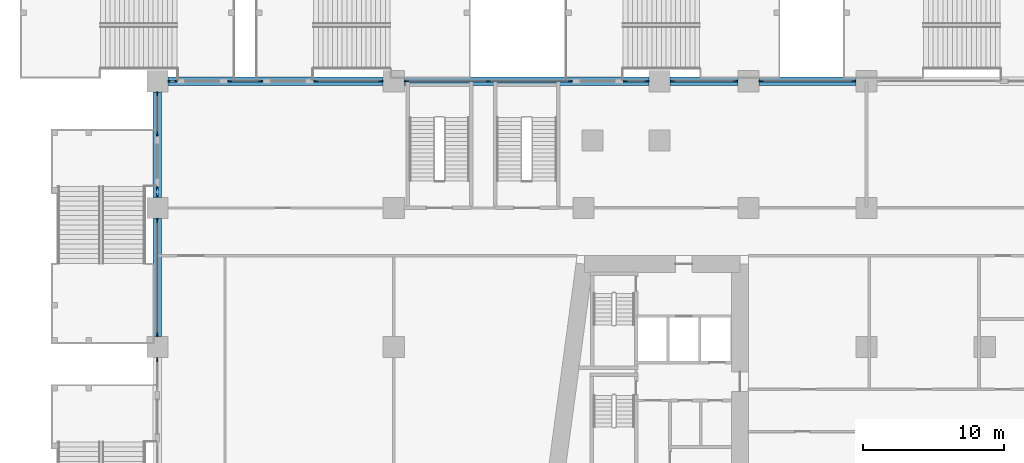
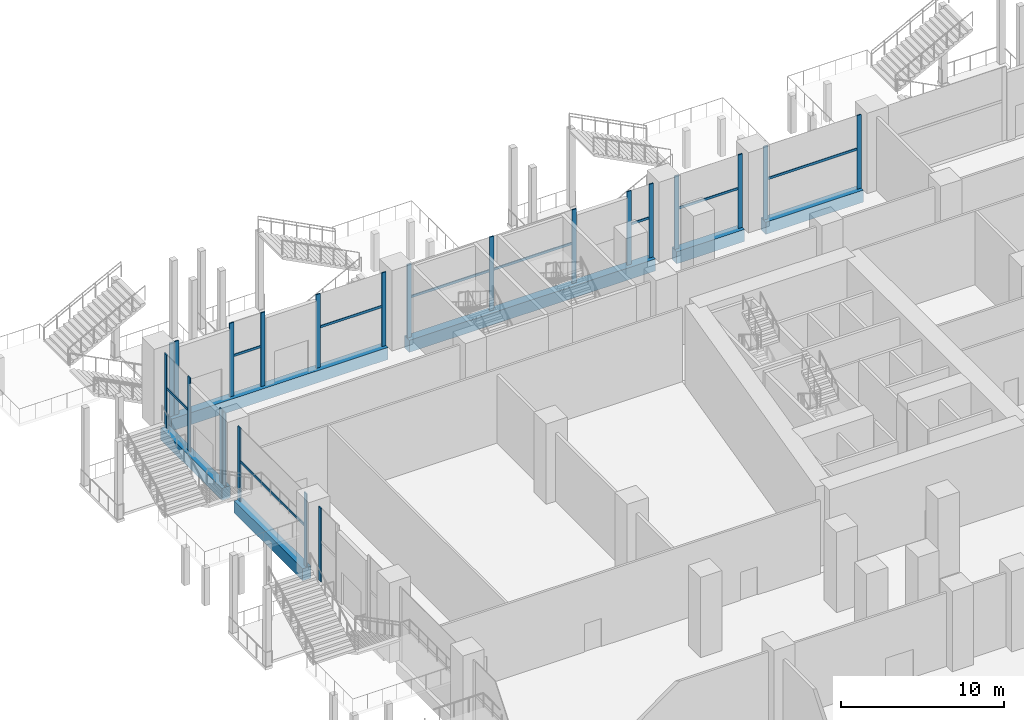
# One storey, part 9 of 47: 31 members, 6 beams, 11 elements without a shape of their own.
"""IFC4 building model written with IfcOpenShell, lengths in metres."""

from ifc_helpers import new_model, si_unit, direction, frame, origin, origin_2d, place, context, subcontext, project, spatial, rectangle, extrude, material, material_profile, profile_set, type_object, element, aggregate, save


model = new_model("IFC4")

# Units and contexts
model_context = context("Model", 3, precision=1e-05, world=origin(), true_north=direction((0.0, 1.0)))
body_context = subcontext(model_context, "Body", "Model", "MODEL_VIEW")
ifc_project = project(units=[si_unit("LENGTHUNIT", "METRE"), si_unit("AREAUNIT", "SQUARE_METRE"), si_unit("VOLUMEUNIT", "CUBIC_METRE"), si_unit("PLANEANGLEUNIT", "RADIAN"), si_unit("MASSUNIT", "GRAM", prefix="KILO")], contexts=[model_context])

# Site, building, storey
site_placement = place(None, origin())
site = spatial("IfcSite", under=ifc_project, at=site_placement, CompositionType="ELEMENT")
building_placement = place(site_placement, origin())
building = spatial("IfcBuilding", under=site, at=building_placement, Name="Candeia Pilgrim Tower and Theatre", CompositionType="ELEMENT")
storey_placement = place(building_placement, frame((0.0, 0.0, 23.0)))
storey = spatial("IfcBuildingStorey", under=building, at=storey_placement, Name="L03", CompositionType="ELEMENT", Elevation=23.0)

# Curtain wall, member
ifc_material_1 = material(Name="Aluminium framed podium glazing", Category="aluminium")
curtain_wall_type = type_object("IfcCurtainWallType", Name="CW-P curtain wall", PredefinedType="NOTDEFINED", material=ifc_material_1)
curtain_wall_1_placement = place(storey_placement, origin())
curtain_wall_1 = element("IfcCurtainWall", 1, at=curtain_wall_1_placement, inside=storey, type_object=curtain_wall_type, Name="Curtain wall CW-P L03.031", PredefinedType="NOTDEFINED")
ifc_material_2 = material(Name="Anodised aluminium", Category="aluminium")
ifc_material_profile_1 = material_profile(ifc_material_2, rectangle(XDim=0.080078125, YDim=0.300048828125, at=origin_2d()))
ifc_profile_set_1 = profile_set([ifc_material_profile_1], Name="Anodised aluminium")
member_type_1 = type_object("IfcMemberType", Name="CW-P mullion 80x300", PredefinedType="MULLION", material=ifc_profile_set_1)
member_1_placement = place(storey_placement, frame((58.800048828125, 125.0, 0.0), z_axis=(0.0, 0.0, 1.0), x_axis=(-1.0, 0.0, 0.0)))
member_1 = element("IfcMember", 2, at=member_1_placement, type_object=member_type_1, Name="CW-P mullion 2", PredefinedType="MULLION", context=body_context, shape_type="SweptSolid", body=[
    extrude(rectangle(XDim=0.080078125, YDim=0.300048828125, at=origin_2d()), origin(), (0.0, 0.0, 1.0), 5.5),
])
aggregate(curtain_wall_1, [member_1])

# Curtain wall, members
curtain_wall_2_placement = place(storey_placement, origin())
curtain_wall_2 = element("IfcCurtainWall", 3, at=curtain_wall_2_placement, inside=storey, type_object=curtain_wall_type, Name="Curtain wall CW-P L03.040", PredefinedType="NOTDEFINED")
member_2_placement = place(storey_placement, frame((58.800048828125, 126.800048828125, 0.0), z_axis=(0.0, 0.0, 1.0), x_axis=(-1.0, 0.0, 0.0)))
member_2 = element("IfcMember", 4, at=member_2_placement, type_object=member_type_1, Name="CW-P mullion 1", PredefinedType="MULLION", context=body_context, shape_type="SweptSolid", body=[
    extrude(rectangle(XDim=0.080078125, YDim=0.300048828125, at=origin_2d()), origin(), (0.0, 0.0, 1.0), 5.5),
])
member_3_placement = place(storey_placement, frame((58.800048828125, 134.89990234375, 0.0), z_axis=(0.0, 0.0, 1.0), x_axis=(-1.0, 0.0, 0.0)))
member_3 = element("IfcMember", 5, at=member_3_placement, type_object=member_type_1, Name="CW-P mullion 2", PredefinedType="MULLION", context=body_context, shape_type="SweptSolid", body=[
    extrude(rectangle(XDim=0.080078125, YDim=0.300048828125, at=origin_2d()), origin(), (0.0, 0.0, 1.0), 5.5),
])

curtain_wall_3_placement = place(storey_placement, origin())
curtain_wall_3 = element("IfcCurtainWall", 6, at=curtain_wall_3_placement, inside=storey, type_object=curtain_wall_type, Name="Curtain wall CW-P L03.050", PredefinedType="NOTDEFINED")
member_4_placement = place(storey_placement, frame((58.800048828125, 136.699951171875, 0.0), z_axis=(0.0, 0.0, 1.0), x_axis=(-1.0, 0.0, 0.0)))
member_4 = element("IfcMember", 7, at=member_4_placement, type_object=member_type_1, Name="CW-P mullion 1", PredefinedType="MULLION", context=body_context, shape_type="SweptSolid", body=[
    extrude(rectangle(XDim=0.080078125, YDim=0.300048828125, at=origin_2d()), origin(), (0.0, 0.0, 1.0), 5.5),
])
member_5_placement = place(storey_placement, frame((58.800048828125, 137.14990234375, 0.0), z_axis=(0.0, 0.0, 1.0), x_axis=(-1.0, 0.0, 0.0)))
member_5 = element("IfcMember", 8, at=member_5_placement, type_object=member_type_1, Name="CW-P mullion 2", PredefinedType="MULLION", context=body_context, shape_type="SweptSolid", body=[
    extrude(rectangle(XDim=0.080078125, YDim=0.300048828125, at=origin_2d()), origin(), (0.0, 0.0, 1.0), 5.5),
])
aggregate(curtain_wall_3, [member_4, member_5])

curtain_wall_4_placement = place(storey_placement, origin())
curtain_wall_4 = element("IfcCurtainWall", 9, at=curtain_wall_4_placement, inside=storey, type_object=curtain_wall_type, Name="Curtain wall CW-P L03.051", PredefinedType="NOTDEFINED")
member_6_placement = place(storey_placement, frame((58.800048828125, 141.050048828125, 0.0), z_axis=(0.0, 0.0, 1.0), x_axis=(-1.0, 0.0, 0.0)))
member_6 = element("IfcMember", 10, at=member_6_placement, type_object=member_type_1, Name="CW-P mullion 1", PredefinedType="MULLION", context=body_context, shape_type="SweptSolid", body=[
    extrude(rectangle(XDim=0.080078125, YDim=0.300048828125, at=origin_2d()), origin(), (0.0, 0.0, 1.0), 5.5),
])
member_7_placement = place(storey_placement, frame((58.800048828125, 143.89990234375, 0.0), z_axis=(0.0, 0.0, 1.0), x_axis=(-1.0, 0.0, 0.0)))
member_7 = element("IfcMember", 11, at=member_7_placement, type_object=member_type_1, Name="CW-P mullion 2", PredefinedType="MULLION", context=body_context, shape_type="SweptSolid", body=[
    extrude(rectangle(XDim=0.080078125, YDim=0.300048828125, at=origin_2d()), origin(), (0.0, 0.0, 1.0), 5.5),
])

curtain_wall_5_placement = place(storey_placement, origin())
curtain_wall_5 = element("IfcCurtainWall", 12, at=curtain_wall_5_placement, inside=storey, type_object=curtain_wall_type, Name="Curtain wall CW-P L03.100", PredefinedType="NOTDEFINED")
member_8_placement = place(storey_placement, frame((59.699951171875, 144.800048828125, 0.0), z_axis=(0.0, 0.0, 1.0), x_axis=(0.0, 1.0, 0.0)))
member_8 = element("IfcMember", 13, at=member_8_placement, type_object=member_type_1, Name="CW-P mullion 1", PredefinedType="MULLION", context=body_context, shape_type="SweptSolid", body=[
    extrude(rectangle(XDim=0.080078125, YDim=0.300048828125, at=origin_2d()), origin(), (0.0, 0.0, 1.0), 5.5),
])
member_9_placement = place(storey_placement, frame((60.050048828125, 144.800048828125, 0.0), z_axis=(0.0, 0.0, 1.0), x_axis=(0.0, 1.0, 0.0)))
member_9 = element("IfcMember", 14, at=member_9_placement, type_object=member_type_1, Name="CW-P mullion 2", PredefinedType="MULLION", context=body_context, shape_type="SweptSolid", body=[
    extrude(rectangle(XDim=0.080078125, YDim=0.300048828125, at=origin_2d()), origin(), (0.0, 0.0, 1.0), 5.5),
])
aggregate(curtain_wall_5, [member_8, member_9])

curtain_wall_6_placement = place(storey_placement, origin())
curtain_wall_6 = element("IfcCurtainWall", 15, at=curtain_wall_6_placement, inside=storey, type_object=curtain_wall_type, Name="Curtain wall CW-P L03.101", PredefinedType="NOTDEFINED")
member_10_placement = place(storey_placement, frame((63.949951171875, 144.800048828125, 0.0), z_axis=(0.0, 0.0, 1.0), x_axis=(0.0, 1.0, 0.0)))
member_10 = element("IfcMember", 16, at=member_10_placement, type_object=member_type_1, Name="CW-P mullion 1", PredefinedType="MULLION", context=body_context, shape_type="SweptSolid", body=[
    extrude(rectangle(XDim=0.080078125, YDim=0.300048828125, at=origin_2d()), origin(), (0.0, 0.0, 1.0), 5.5),
])
member_11_placement = place(storey_placement, frame((66.14990234375, 144.800048828125, 0.0), z_axis=(0.0, 0.0, 1.0), x_axis=(0.0, 1.0, 0.0)))
member_11 = element("IfcMember", 17, at=member_11_placement, type_object=member_type_1, Name="CW-P mullion 2", PredefinedType="MULLION", context=body_context, shape_type="SweptSolid", body=[
    extrude(rectangle(XDim=0.080078125, YDim=0.300048828125, at=origin_2d()), origin(), (0.0, 0.0, 1.0), 5.5),
])

curtain_wall_7_placement = place(storey_placement, origin())
curtain_wall_7 = element("IfcCurtainWall", 18, at=curtain_wall_7_placement, inside=storey, type_object=curtain_wall_type, Name="Curtain wall CW-P L03.102", PredefinedType="NOTDEFINED")
member_12_placement = place(storey_placement, frame((70.050048828125, 144.800048828125, 0.0), z_axis=(0.0, 0.0, 1.0), x_axis=(0.0, 1.0, 0.0)))
member_12 = element("IfcMember", 19, at=member_12_placement, type_object=member_type_1, Name="CW-P mullion 1", PredefinedType="MULLION", context=body_context, shape_type="SweptSolid", body=[
    extrude(rectangle(XDim=0.080078125, YDim=0.300048828125, at=origin_2d()), origin(), (0.0, 0.0, 1.0), 5.5),
])
member_13_placement = place(storey_placement, frame((74.699951171875, 144.800048828125, 0.0), z_axis=(0.0, 0.0, 1.0), x_axis=(0.0, 1.0, 0.0)))
member_13 = element("IfcMember", 20, at=member_13_placement, type_object=member_type_1, Name="CW-P mullion 2", PredefinedType="MULLION", context=body_context, shape_type="SweptSolid", body=[
    extrude(rectangle(XDim=0.080078125, YDim=0.300048828125, at=origin_2d()), origin(), (0.0, 0.0, 1.0), 5.5),
])

curtain_wall_8_placement = place(storey_placement, origin())
curtain_wall_8 = element("IfcCurtainWall", 21, at=curtain_wall_8_placement, inside=storey, type_object=curtain_wall_type, Name="Curtain wall CW-P L03.110", PredefinedType="NOTDEFINED")
member_14_placement = place(storey_placement, frame((76.5, 144.800048828125, 0.0), z_axis=(0.0, 0.0, 1.0), x_axis=(0.0, 1.0, 0.0)))
member_14 = element("IfcMember", 22, at=member_14_placement, type_object=member_type_1, Name="CW-P mullion 1", PredefinedType="MULLION", context=body_context, shape_type="SweptSolid", body=[
    extrude(rectangle(XDim=0.080078125, YDim=0.300048828125, at=origin_2d()), origin(), (0.0, 0.0, 1.0), 5.5),
])
member_15_placement = place(storey_placement, frame((82.324951171875, 144.800048828125, 0.0), z_axis=(0.0, 0.0, 1.0), x_axis=(0.0, 1.0, 0.0)))
member_15 = element("IfcMember", 23, at=member_15_placement, type_object=member_type_1, Name="CW-P mullion 2", PredefinedType="MULLION", context=body_context, shape_type="SweptSolid", body=[
    extrude(rectangle(XDim=0.080078125, YDim=0.300048828125, at=origin_2d()), origin(), (0.0, 0.0, 1.0), 5.5),
])
member_16_placement = place(storey_placement, frame((88.14990234375, 144.800048828125, 0.0), z_axis=(0.0, 0.0, 1.0), x_axis=(0.0, 1.0, 0.0)))
member_16 = element("IfcMember", 24, at=member_16_placement, type_object=member_type_1, Name="CW-P mullion 3", PredefinedType="MULLION", context=body_context, shape_type="SweptSolid", body=[
    extrude(rectangle(XDim=0.080078125, YDim=0.300048828125, at=origin_2d()), origin(), (0.0, 0.0, 1.0), 5.5),
])

curtain_wall_9_placement = place(storey_placement, origin())
curtain_wall_9 = element("IfcCurtainWall", 25, at=curtain_wall_9_placement, inside=storey, type_object=curtain_wall_type, Name="Curtain wall CW-P L03.111", PredefinedType="NOTDEFINED")
member_17_placement = place(storey_placement, frame((92.050048828125, 144.800048828125, 0.0), z_axis=(0.0, 0.0, 1.0), x_axis=(0.0, 1.0, 0.0)))
member_17 = element("IfcMember", 26, at=member_17_placement, type_object=member_type_1, Name="CW-P mullion 1", PredefinedType="MULLION", context=body_context, shape_type="SweptSolid", body=[
    extrude(rectangle(XDim=0.080078125, YDim=0.300048828125, at=origin_2d()), origin(), (0.0, 0.0, 1.0), 5.5),
])
member_18_placement = place(storey_placement, frame((93.60009765625, 144.800048828125, 0.0), z_axis=(0.0, 0.0, 1.0), x_axis=(0.0, 1.0, 0.0)))
member_18 = element("IfcMember", 27, at=member_18_placement, type_object=member_type_1, Name="CW-P mullion 2", PredefinedType="MULLION", context=body_context, shape_type="SweptSolid", body=[
    extrude(rectangle(XDim=0.080078125, YDim=0.300048828125, at=origin_2d()), origin(), (0.0, 0.0, 1.0), 5.5),
])

curtain_wall_10_placement = place(storey_placement, origin())
curtain_wall_10 = element("IfcCurtainWall", 28, at=curtain_wall_10_placement, inside=storey, type_object=curtain_wall_type, Name="Curtain wall CW-P L03.120", PredefinedType="NOTDEFINED")
member_19_placement = place(storey_placement, frame((95.39990234375, 144.800048828125, 0.0), z_axis=(0.0, 0.0, 1.0), x_axis=(0.0, 1.0, 0.0)))
member_19 = element("IfcMember", 29, at=member_19_placement, type_object=member_type_1, Name="CW-P mullion 1", PredefinedType="MULLION", context=body_context, shape_type="SweptSolid", body=[
    extrude(rectangle(XDim=0.080078125, YDim=0.300048828125, at=origin_2d()), origin(), (0.0, 0.0, 1.0), 5.5),
])
member_20_placement = place(storey_placement, frame((99.89990234375, 144.800048828125, 0.0), z_axis=(0.0, 0.0, 1.0), x_axis=(0.0, 1.0, 0.0)))
member_20 = element("IfcMember", 30, at=member_20_placement, type_object=member_type_1, Name="CW-P mullion 2", PredefinedType="MULLION", context=body_context, shape_type="SweptSolid", body=[
    extrude(rectangle(XDim=0.080078125, YDim=0.300048828125, at=origin_2d()), origin(), (0.0, 0.0, 1.0), 5.5),
])

curtain_wall_11_placement = place(storey_placement, origin())
curtain_wall_11 = element("IfcCurtainWall", 31, at=curtain_wall_11_placement, inside=storey, type_object=curtain_wall_type, Name="Curtain wall CW-P L03.130", PredefinedType="NOTDEFINED")
member_21_placement = place(storey_placement, frame((101.699951171875, 144.800048828125, 0.0), z_axis=(0.0, 0.0, 1.0), x_axis=(0.0, 1.0, 0.0)))
member_21 = element("IfcMember", 32, at=member_21_placement, type_object=member_type_1, Name="CW-P mullion 1", PredefinedType="MULLION", context=body_context, shape_type="SweptSolid", body=[
    extrude(rectangle(XDim=0.080078125, YDim=0.300048828125, at=origin_2d()), origin(), (0.0, 0.0, 1.0), 5.5),
])
member_22_placement = place(storey_placement, frame((108.300048828125, 144.800048828125, 0.0), z_axis=(0.0, 0.0, 1.0), x_axis=(0.0, 1.0, 0.0)))
member_22 = element("IfcMember", 33, at=member_22_placement, type_object=member_type_1, Name="CW-P mullion 2", PredefinedType="MULLION", context=body_context, shape_type="SweptSolid", body=[
    extrude(rectangle(XDim=0.080078125, YDim=0.300048828125, at=origin_2d()), origin(), (0.0, 0.0, 1.0), 5.5),
])

# Member
ifc_material_profile_2 = material_profile(ifc_material_2, rectangle(XDim=0.080078125, YDim=0.179931640625, at=origin_2d()))
ifc_profile_set_2 = profile_set([ifc_material_profile_2], Name="Anodised aluminium")
member_type_2 = type_object("IfcMemberType", Name="CW-P transom 80x180", PredefinedType="USERDEFINED", material=ifc_profile_set_2)
member_23_placement = place(storey_placement, frame((58.800048828125, 126.840087890625, 3.0), z_axis=(0.0, 1.0, 0.0), x_axis=(-1.0, 0.0, 0.0)))
member_23 = element("IfcMember", 34, at=member_23_placement, type_object=member_type_2, Name="CW-P transom 1.1", ObjectType="TRANSOM", PredefinedType="USERDEFINED", context=body_context, shape_type="SweptSolid", body=[
    extrude(rectangle(XDim=0.080078125, YDim=0.179931640625, at=origin_2d()), origin(), (0.0, 0.0, 1.0), 8.02001953125),
])

aggregate(curtain_wall_2, [member_2, member_3, member_23])

member_24_placement = place(storey_placement, frame((58.800048828125, 141.090087890625, 3.0), z_axis=(0.0, 1.0, 0.0), x_axis=(-1.0, 0.0, 0.0)))
member_24 = element("IfcMember", 35, at=member_24_placement, type_object=member_type_2, Name="CW-P transom 1.1", ObjectType="TRANSOM", PredefinedType="USERDEFINED", context=body_context, shape_type="SweptSolid", body=[
    extrude(rectangle(XDim=0.080078125, YDim=0.179931640625, at=origin_2d()), origin(), (0.0, 0.0, 1.0), 2.77001953125),
])

aggregate(curtain_wall_4, [member_6, member_7, member_24])

member_25_placement = place(storey_placement, frame((63.989990234375, 144.800048828125, 3.0), z_axis=(1.0, 0.0, 0.0), x_axis=(0.0, 1.0, 0.0)))
member_25 = element("IfcMember", 36, at=member_25_placement, type_object=member_type_2, Name="CW-P transom 1.1", ObjectType="TRANSOM", PredefinedType="USERDEFINED", context=body_context, shape_type="SweptSolid", body=[
    extrude(rectangle(XDim=0.080078125, YDim=0.179931640625, at=origin_2d()), origin(), (0.0, 0.0, 1.0), 2.1201171875),
])

aggregate(curtain_wall_6, [member_10, member_11, member_25])

member_26_placement = place(storey_placement, frame((70.090087890625, 144.800048828125, 3.0), z_axis=(1.0, 0.0, 0.0), x_axis=(0.0, 1.0, 0.0)))
member_26 = element("IfcMember", 37, at=member_26_placement, type_object=member_type_2, Name="CW-P transom 1.1", ObjectType="TRANSOM", PredefinedType="USERDEFINED", context=body_context, shape_type="SweptSolid", body=[
    extrude(rectangle(XDim=0.080078125, YDim=0.179931640625, at=origin_2d()), origin(), (0.0, 0.0, 1.0), 4.56982421875),
])

aggregate(curtain_wall_7, [member_12, member_13, member_26])

member_27_placement = place(storey_placement, frame((76.5400390625, 144.800048828125, 3.0), z_axis=(1.0, 0.0, 0.0), x_axis=(0.0, 1.0, 0.0)))
member_27 = element("IfcMember", 38, at=member_27_placement, type_object=member_type_2, Name="CW-P transom 1.1", ObjectType="TRANSOM", PredefinedType="USERDEFINED", context=body_context, shape_type="SweptSolid", body=[
    extrude(rectangle(XDim=0.080078125, YDim=0.179931640625, at=origin_2d()), origin(), (0.0, 0.0, 1.0), 5.744873046875),
])

member_28_placement = place(storey_placement, frame((82.364990234375, 144.800048828125, 3.0), z_axis=(1.0, 0.0, 0.0), x_axis=(0.0, 1.0, 0.0)))
member_28 = element("IfcMember", 39, at=member_28_placement, type_object=member_type_2, Name="CW-P transom 2.1", ObjectType="TRANSOM", PredefinedType="USERDEFINED", context=body_context, shape_type="SweptSolid", body=[
    extrude(rectangle(XDim=0.080078125, YDim=0.179931640625, at=origin_2d()), origin(), (0.0, 0.0, 1.0), 5.7451171875),
])

aggregate(curtain_wall_8, [member_14, member_15, member_16, member_27, member_28])

member_29_placement = place(storey_placement, frame((92.090087890625, 144.800048828125, 3.0), z_axis=(1.0, 0.0, 0.0), x_axis=(0.0, 1.0, 0.0)))
member_29 = element("IfcMember", 40, at=member_29_placement, type_object=member_type_2, Name="CW-P transom 1.1", ObjectType="TRANSOM", PredefinedType="USERDEFINED", context=body_context, shape_type="SweptSolid", body=[
    extrude(rectangle(XDim=0.080078125, YDim=0.179931640625, at=origin_2d()), origin(), (0.0, 0.0, 1.0), 1.469970703125),
])

aggregate(curtain_wall_9, [member_17, member_18, member_29])

member_30_placement = place(storey_placement, frame((95.43994140625, 144.800048828125, 3.0), z_axis=(1.0, 0.0, 0.0), x_axis=(0.0, 1.0, 0.0)))
member_30 = element("IfcMember", 41, at=member_30_placement, type_object=member_type_2, Name="CW-P transom 1.1", ObjectType="TRANSOM", PredefinedType="USERDEFINED", context=body_context, shape_type="SweptSolid", body=[
    extrude(rectangle(XDim=0.080078125, YDim=0.179931640625, at=origin_2d()), origin(), (0.0, 0.0, 1.0), 4.420166015625),
])

aggregate(curtain_wall_10, [member_19, member_20, member_30])

member_31_placement = place(storey_placement, frame((101.739990234375, 144.800048828125, 3.0), z_axis=(1.0, 0.0, 0.0), x_axis=(0.0, 1.0, 0.0)))
member_31 = element("IfcMember", 42, at=member_31_placement, type_object=member_type_2, Name="CW-P transom 1.1", ObjectType="TRANSOM", PredefinedType="USERDEFINED", context=body_context, shape_type="SweptSolid", body=[
    extrude(rectangle(XDim=0.080078125, YDim=0.179931640625, at=origin_2d()), origin(), (0.0, 0.0, 1.0), 6.52001953125),
])

aggregate(curtain_wall_11, [member_21, member_22, member_31])

# Beams
ifc_material_3 = material(Name="Concrete C80/95", Category="concrete")
ifc_material_profile_3 = material_profile(ifc_material_3, rectangle(XDim=0.60009765625, YDim=0.89990234375, at=origin_2d()))
ifc_profile_set_3 = profile_set([ifc_material_profile_3], Name="Concrete C80/95")
beam_type = type_object("IfcBeamType", Name="RC 600x900 C80/95", PredefinedType="BEAM", material=ifc_profile_set_3)
beam_1_placement = place(storey_placement, frame((108.449951171875, 144.800048828125, -0.449951171875), z_axis=(-1.0, 0.0, 0.0), x_axis=(0.0, -1.0, 0.0)))
element("IfcBeam", 43, at=beam_1_placement, inside=storey, type_object=beam_type, Name="Spandrel beam L03-11", PredefinedType="BEAM", context=body_context, shape_type="SweptSolid", body=[
    extrude(rectangle(XDim=0.60009765625, YDim=0.89990234375, at=origin_2d()), origin(), (0.0, 0.0, 1.0), 6.89990234375),
])
beam_2_placement = place(storey_placement, frame((100.050048828125, 144.800048828125, -0.449951171875), z_axis=(-1.0, 0.0, 0.0), x_axis=(0.0, -1.0, 0.0)))
element("IfcBeam", 44, at=beam_2_placement, inside=storey, type_object=beam_type, Name="Spandrel beam L03-12", PredefinedType="BEAM", context=body_context, shape_type="SweptSolid", body=[
    extrude(rectangle(XDim=0.60009765625, YDim=0.89990234375, at=origin_2d()), origin(), (0.0, 0.0, 1.0), 4.800048828125),
])
beam_3_placement = place(storey_placement, frame((93.75, 144.800048828125, -0.449951171875), z_axis=(-1.0, 0.0, 0.0), x_axis=(0.0, -1.0, 0.0)))
element("IfcBeam", 45, at=beam_3_placement, inside=storey, type_object=beam_type, Name="Spandrel beam L03-13", PredefinedType="BEAM", context=body_context, shape_type="SweptSolid", body=[
    extrude(rectangle(XDim=0.60009765625, YDim=0.89990234375, at=origin_2d()), origin(), (0.0, 0.0, 1.0), 17.39990234375),
])
beam_4_placement = place(storey_placement, frame((74.85009765625, 144.800048828125, -0.449951171875), z_axis=(-1.0, 0.0, 0.0), x_axis=(0.0, -1.0, 0.0)))
element("IfcBeam", 46, at=beam_4_placement, inside=storey, type_object=beam_type, Name="Spandrel beam L03-14", PredefinedType="BEAM", context=body_context, shape_type="SweptSolid", body=[
    extrude(rectangle(XDim=0.60009765625, YDim=0.89990234375, at=origin_2d()), origin(), (0.0, 0.0, 1.0), 15.300048828125),
])
beam_5_placement = place(storey_placement, frame((58.800048828125, 144.050048828125, -0.449951171875), z_axis=(0.0, -1.0, 0.0), x_axis=(1.0, 0.0, 0.0)))
element("IfcBeam", 47, at=beam_5_placement, inside=storey, type_object=beam_type, Name="Spandrel beam L03-15", PredefinedType="BEAM", context=body_context, shape_type="SweptSolid", body=[
    extrude(rectangle(XDim=0.60009765625, YDim=0.89990234375, at=origin_2d()), origin(), (0.0, 0.0, 1.0), 7.5),
])
beam_6_placement = place(storey_placement, frame((58.800048828125, 135.050048828125, -0.449951171875), z_axis=(0.0, -1.0, 0.0), x_axis=(1.0, 0.0, 0.0)))
element("IfcBeam", 48, at=beam_6_placement, inside=storey, type_object=beam_type, Name="Spandrel beam L03-16", PredefinedType="BEAM", context=body_context, shape_type="SweptSolid", body=[
    extrude(rectangle(XDim=0.60009765625, YDim=0.89990234375, at=origin_2d()), origin(), (0.0, 0.0, 1.0), 8.400146484375),
])

save(model, "model.ifc")
